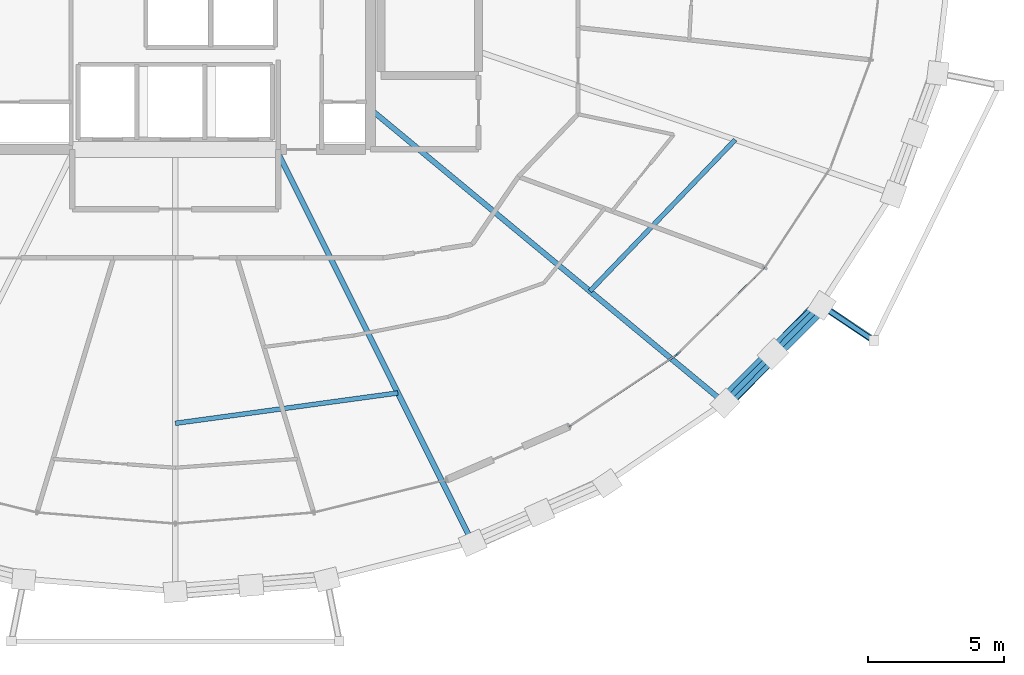
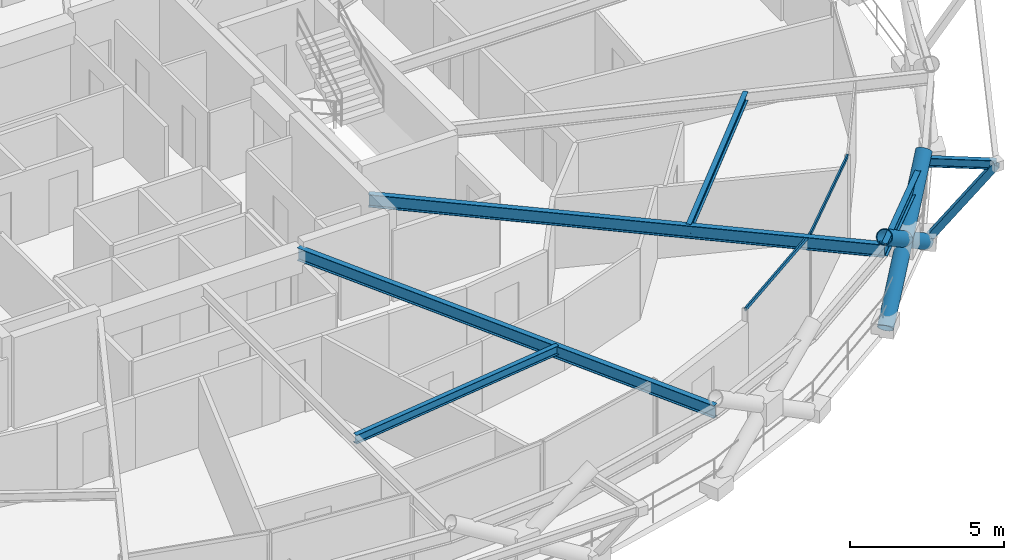
# One storey, part 6 of 21: 6 beams, 6 members, 1 element without a shape of its own.
"""IFC4 building model written with IfcOpenShell, lengths in metres."""

from ifc_helpers import new_model, si_unit, direction, frame, origin, origin_2d, place, context, subcontext, project, spatial, hollow_rectangle, hollow_circle, i_section, extrude, material, layer, layer_set, material_profile, profile_set, type_object, element, aggregate, save


model = new_model("IFC4")

# Units and contexts
model_context = context("Model", 3, precision=1e-05, world=origin(), true_north=direction((0.0, 1.0)))
body_context = subcontext(model_context, "Body", "Model", "MODEL_VIEW")
ifc_project = project(units=[si_unit("LENGTHUNIT", "METRE"), si_unit("AREAUNIT", "SQUARE_METRE"), si_unit("VOLUMEUNIT", "CUBIC_METRE"), si_unit("PLANEANGLEUNIT", "RADIAN"), si_unit("MASSUNIT", "GRAM", prefix="KILO")], contexts=[model_context])

# Site, building, storey
site_placement = place(None, origin())
site = spatial("IfcSite", under=ifc_project, at=site_placement, CompositionType="ELEMENT")
building_placement = place(site_placement, origin())
building = spatial("IfcBuilding", under=site, at=building_placement, Name="Veldorina Hangang Commons", CompositionType="ELEMENT")
storey_placement = place(building_placement, frame((0.0, 0.0, 120.800048828125)))
storey = spatial("IfcBuildingStorey", under=building, at=storey_placement, Name="L30", CompositionType="ELEMENT", Elevation=120.800048828125)

# Beams
ifc_material_1 = material(Name="Steel SM355-TMC", Category="steel")
ifc_material_profile_1 = material_profile(ifc_material_1, i_section(OverallWidth=0.175048828125, OverallDepth=0.35009765625, WebThickness=0.007080078125, FlangeThickness=0.010986328125, FilletRadius=0.012939453125, at=origin_2d()), Name="H-350x175x7x11")
ifc_profile_set_1 = profile_set([ifc_material_profile_1], Name="Steel SM355-TMC")
beam_type_1 = type_object("IfcBeamType", Name="BM-FG350", PredefinedType="BEAM", material=ifc_profile_set_1)
beam_1_placement = place(storey_placement, frame((55.802001953125, 10.8115234375, 3.175048828125), z_axis=(0.831522484963, -0.555491095339, 0.0), x_axis=(0.555491095339, 0.831522484963, 0.0)))
element("IfcBeam", 1, at=beam_1_placement, inside=storey, type_object=beam_type_1, Name="L31 tree balcony 2 bracket beam A", PredefinedType="BEAM", context=body_context, shape_type="SweptSolid", body=[
    extrude(i_section(OverallWidth=0.175048828125, OverallDepth=0.35009765625, WebThickness=0.007080078125, FlangeThickness=0.010986328125, FilletRadius=0.012939453125, at=origin_2d()), origin(), (0.0, 0.0, 1.0), 2.35009765625),
])
ifc_material_2 = material(Name="Steel SM420-TMC", Category="steel")
ifc_material_profile_2 = material_profile(ifc_material_2, i_section(OverallWidth=0.199951171875, OverallDepth=0.5, WebThickness=0.010009765625, FlangeThickness=0.01611328125, FilletRadius=0.01611328125, at=origin_2d()), Name="H-500x200x10x16")
ifc_profile_set_2 = profile_set([ifc_material_profile_2], Name="Steel SM420-TMC")
beam_type_2 = type_object("IfcBeamType", Name="BM-FG500", PredefinedType="BEAM", material=ifc_profile_set_2)
beam_2_placement = place(storey_placement, frame((35.721435546875, 16.550048828125, 3.099853515625), z_axis=(0.446863753993, -0.894602026248, 0.0), x_axis=(0.894602026248, 0.446863753993, 0.0)))
element("IfcBeam", 2, at=beam_2_placement, inside=storey, type_object=beam_type_2, Name="L30 radial floor girder 14", PredefinedType="BEAM", context=body_context, shape_type="SweptSolid", body=[
    extrude(i_section(OverallWidth=0.199951171875, OverallDepth=0.5, WebThickness=0.010009765625, FlangeThickness=0.01611328125, FilletRadius=0.01611328125, at=origin_2d()), origin(), (0.0, 0.0, 1.0), 16.19189453125),
])
beam_3_placement = place(storey_placement, frame((39.199951171875, 18.029541015625, 3.099853515625), z_axis=(0.769776432581, -0.638313593654, 0.0), x_axis=(0.638313593654, 0.769776432581, 0.0)))
element("IfcBeam", 3, at=beam_3_placement, inside=storey, type_object=beam_type_2, Name="L30 radial floor girder 15", PredefinedType="BEAM", context=body_context, shape_type="SweptSolid", body=[
    extrude(i_section(OverallWidth=0.199951171875, OverallDepth=0.5, WebThickness=0.010009765625, FlangeThickness=0.01611328125, FilletRadius=0.01611328125, at=origin_2d()), origin(), (0.0, 0.0, 1.0), 16.947998046875),
])
ifc_material_profile_3 = material_profile(ifc_material_1, i_section(OverallWidth=0.175048828125, OverallDepth=0.35009765625, WebThickness=0.007080078125, FlangeThickness=0.010986328125, FilletRadius=0.012939453125, at=origin_2d()), Name="H-350x175x7x11")
ifc_profile_set_3 = profile_set([ifc_material_profile_3], Name="Steel SM355-TMC")
beam_type_3 = type_object("IfcBeamType", Name="BM-JST350", PredefinedType="JOIST", material=ifc_profile_set_3)
beam_4_placement = place(storey_placement, frame((32.0, 6.44873046875, 3.175048828125), z_axis=(0.990811506541, 0.135249985232, 0.0), x_axis=(-0.135249985232, 0.990811506541, 0.0)))
element("IfcBeam", 4, at=beam_4_placement, inside=storey, type_object=beam_type_3, Name="L30 secondary floor joist 13", PredefinedType="JOIST", context=body_context, shape_type="SweptSolid", body=[
    extrude(i_section(OverallWidth=0.175048828125, OverallDepth=0.35009765625, WebThickness=0.007080078125, FlangeThickness=0.010986328125, FilletRadius=0.012939453125, at=origin_2d()), origin(), (0.0, 0.0, 1.0), 8.28369140625),
])
beam_5_placement = place(storey_placement, frame((47.28857421875, 11.322509765625, 3.175048828125), z_axis=(0.692466833638, 0.721449710175, 0.0), x_axis=(-0.721449710175, 0.692466833638, 0.0)))
element("IfcBeam", 5, at=beam_5_placement, inside=storey, type_object=beam_type_3, Name="L30 secondary floor joist 15", PredefinedType="JOIST", context=body_context, shape_type="SweptSolid", body=[
    extrude(i_section(OverallWidth=0.175048828125, OverallDepth=0.35009765625, WebThickness=0.007080078125, FlangeThickness=0.010986328125, FilletRadius=0.012939453125, at=origin_2d()), origin(), (0.0, 0.0, 1.0), 7.7412109375),
])
ifc_material_profile_4 = material_profile(ifc_material_2, i_section(OverallWidth=0.199951171875, OverallDepth=0.5, WebThickness=0.010009765625, FlangeThickness=0.01611328125, FilletRadius=0.01611328125, at=origin_2d()), Name="H-500x200x10x16")
ifc_profile_set_4 = profile_set([ifc_material_profile_4], Name="Steel SM420-TMC")
beam_type_4 = type_object("IfcBeamType", Name="BM-RB500", PredefinedType="BEAM", material=ifc_profile_set_4)
beam_6_placement = place(storey_placement, frame((52.24609375, 7.21142578125, 3.099853515625), z_axis=(0.703431814943, 0.710762746439, 0.0), x_axis=(-0.710762746439, 0.703431814943, 0.0)))
element("IfcBeam", 6, at=beam_6_placement, inside=storey, type_object=beam_type_4, Name="L30 perimeter hoop ring beam 28", PredefinedType="BEAM", context=body_context, shape_type="SweptSolid", body=[
    extrude(i_section(OverallWidth=0.199951171875, OverallDepth=0.5, WebThickness=0.010009765625, FlangeThickness=0.01611328125, FilletRadius=0.01611328125, at=origin_2d()), origin(), (0.0, 0.0, 1.0), 5.06201171875),
])

# Curtain wall, members
ifc_material_3 = material(Name="Glass Low-E Triple IGU", Category="glass")
ifc_layer = layer(ifc_material_3, 0.179931640625)
ifc_layer_set = layer_set([ifc_layer], Name="Glass Low-E Triple IGU")
curtain_wall_type = type_object("IfcCurtainWallType", Name="CW-SYS-Z2", PredefinedType="NOTDEFINED", material=ifc_layer_set)
curtain_wall_placement = place(storey_placement, origin())
curtain_wall = element("IfcCurtainWall", 7, at=curtain_wall_placement, inside=storey, type_object=curtain_wall_type, Name="L30 unitised curtain wall CW-L30-R2", PredefinedType="NOTDEFINED")
ifc_material_4 = material(Name="Aluminium Anodized AA6063-T6", Category="aluminium")
ifc_material_profile_5 = material_profile(ifc_material_4, hollow_rectangle(XDim=0.06005859375, YDim=0.139892578125, WallThickness=0.00341796875, at=origin_2d()), Name="ALU-RHS-140x60x3.5")
ifc_profile_set_5 = profile_set([ifc_material_profile_5], Name="Aluminium Anodized AA6063-T6")
member_type_1 = type_object("IfcMemberType", Name="CW-TRN-140", PredefinedType="USERDEFINED", material=ifc_profile_set_5)
member_1_placement = place(storey_placement, frame((46.526611328125, 6.333740234375, 3.27001953125), z_axis=(0.831939866216, 0.554865802694, 0.0), x_axis=(-0.554865802694, 0.831939866216, 0.0)))
member_1 = element("IfcMember", 8, at=member_1_placement, type_object=member_type_1, Name="CW-L30-R2 facet 1 transom 1", ObjectType="TRANSOM", PredefinedType="USERDEFINED", context=body_context, shape_type="SweptSolid", body=[
    extrude(hollow_rectangle(XDim=0.06005859375, YDim=0.139892578125, WallThickness=0.00341796875, at=origin_2d()), origin(), (0.0, 0.0, 1.0), 4.762451171875),
])
member_2_placement = place(storey_placement, frame((50.48876953125, 8.976318359375, 3.27001953125), z_axis=(0.710619364374, 0.703576661762, 0.0), x_axis=(-0.703576661762, 0.710619364374, 0.0)))
member_2 = element("IfcMember", 9, at=member_2_placement, type_object=member_type_1, Name="CW-L30-R2 facet 2 transom 1", ObjectType="TRANSOM", PredefinedType="USERDEFINED", context=body_context, shape_type="SweptSolid", body=[
    extrude(hollow_rectangle(XDim=0.06005859375, YDim=0.139892578125, WallThickness=0.00341796875, at=origin_2d()), origin(), (0.0, 0.0, 1.0), 4.575927734375),
])
aggregate(curtain_wall, [member_1, member_2])

# Members
ifc_material_profile_6 = material_profile(ifc_material_2, hollow_circle(Radius=0.27490234375, WallThickness=0.028076171875, at=origin_2d()), Name="CHS-550x28")
ifc_profile_set_6 = profile_set([ifc_material_profile_6], Name="Steel SM420-TMC")
member_type_2 = type_object("IfcMemberType", Name="DG-CHS550", PredefinedType="BRACE", material=ifc_profile_set_6)
member_3_placement = place(storey_placement, frame((52.2705078125, 7.1943359375, 0.0), z_axis=(0.569045098849, 0.582853244697, 0.58006014397), x_axis=(-0.715531671728, 0.698580293706, 0.0)))
element("IfcMember", 10, at=member_3_placement, inside=storey, type_object=member_type_2, Name="L30 continuous perimeter diagrid brace 28", PredefinedType="BRACE", context=body_context, shape_type="SweptSolid", body=[
    extrude(hollow_circle(Radius=0.27490234375, WallThickness=0.028076171875, at=origin_2d()), origin(), (0.0, 0.0, 1.0), 6.2060546875),
])
member_4_placement = place(storey_placement, frame((55.835693359375, 10.7958984375, 0.0), z_axis=(-0.577688762306, -0.575649399397, 0.57870844376), x_axis=(0.705855352884, -0.708355998637, 0.0)))
element("IfcMember", 11, at=member_4_placement, inside=storey, type_object=member_type_2, Name="L30 split perimeter diagrid lower brace 29", PredefinedType="BRACE", context=body_context, shape_type="SweptSolid", body=[
    extrude(hollow_circle(Radius=0.27490234375, WallThickness=0.028076171875, at=origin_2d()), origin(), (0.0, 0.0, 1.0), 3.112548828125),
])
member_5_placement = place(storey_placement, frame((54.03759765625, 9.004150390625, 1.80126953125), z_axis=(-0.577610898074, -0.575804391322, 0.578631967108), x_axis=(0.705998427621, -0.708213400181, 0.0)))
element("IfcMember", 12, at=member_5_placement, inside=storey, type_object=member_type_2, Name="L30 split perimeter diagrid upper brace 29", PredefinedType="BRACE", context=body_context, shape_type="SweptSolid", body=[
    extrude(hollow_circle(Radius=0.27490234375, WallThickness=0.028076171875, at=origin_2d()), origin(), (0.0, 0.0, 1.0), 3.1083984375),
])
ifc_material_profile_7 = material_profile(ifc_material_1, hollow_rectangle(XDim=0.25, YDim=0.25, WallThickness=0.011962890625, at=origin_2d()), Name="SHS-250x250x12")
ifc_profile_set_7 = profile_set([ifc_material_profile_7], Name="Steel SM355-TMC")
member_type_3 = type_object("IfcMemberType", Name="STR-SHS250", PredefinedType="STRUT", material=ifc_profile_set_7)
member_6_placement = place(storey_placement, frame((55.835693359375, 10.7958984375, 0.0), z_axis=(0.488850559121, -0.328324116938, 0.808225466738), x_axis=(0.557546414014, 0.830145768055, 0.0)))
element("IfcMember", 13, at=member_6_placement, inside=storey, type_object=member_type_3, Name="L31 tree balcony 2 raking knee strut A", PredefinedType="STRUT", context=body_context, shape_type="SweptSolid", body=[
    extrude(hollow_rectangle(XDim=0.25, YDim=0.25, WallThickness=0.011962890625, at=origin_2d()), origin(), (0.0, 0.0, 1.0), 3.928466796875),
])

save(model, "model.ifc")
